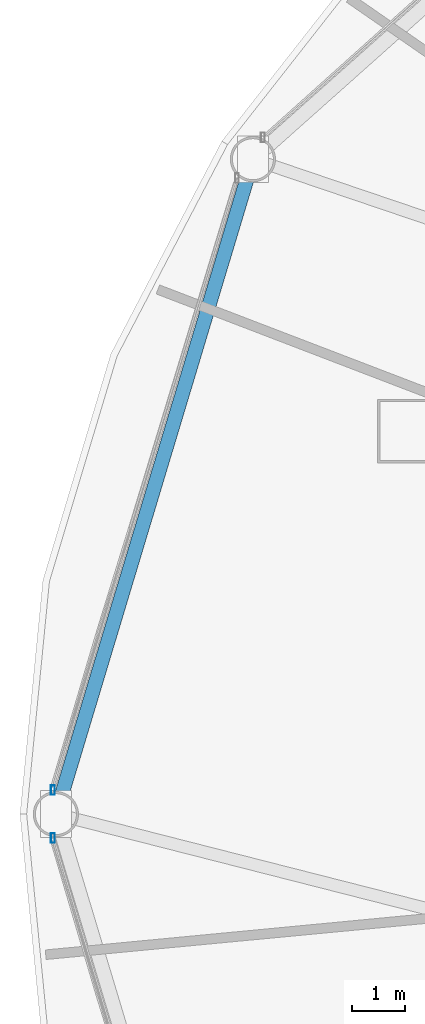
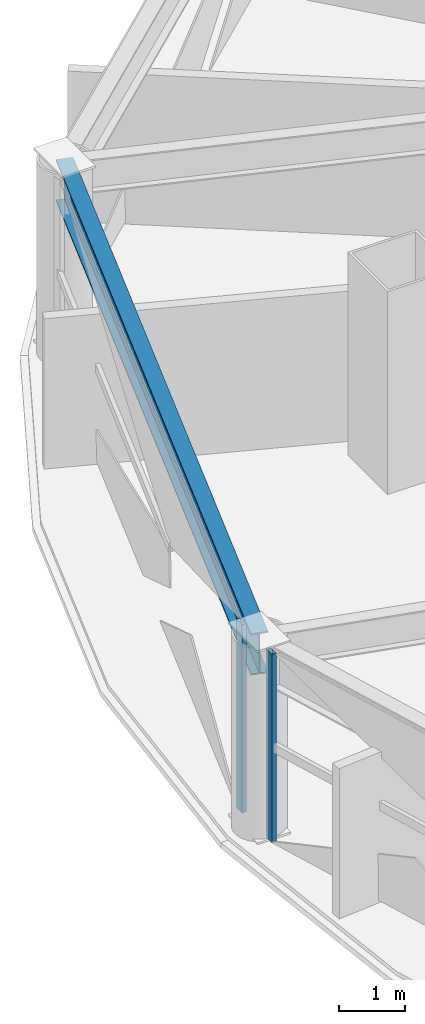
# One storey, part 6 of 33: 2 members, 1 beam, 2 elements without a shape of their own.
"""IFC4 building model written with IfcOpenShell, lengths in metres."""

from ifc_helpers import new_model, si_unit, direction, frame, origin, origin_2d, place, context, subcontext, project, spatial, hollow_rectangle, i_section, extrude, material, layer, layer_set, material_profile, profile_set, type_object, element, aggregate, save


model = new_model("IFC4")

# Units and contexts
model_context = context("Model", 3, precision=1e-05, world=origin(), true_north=direction((0.0, 1.0)))
body_context = subcontext(model_context, "Body", "Model", "MODEL_VIEW")
ifc_project = project(units=[si_unit("LENGTHUNIT", "METRE"), si_unit("AREAUNIT", "SQUARE_METRE"), si_unit("VOLUMEUNIT", "CUBIC_METRE"), si_unit("PLANEANGLEUNIT", "RADIAN"), si_unit("MASSUNIT", "GRAM", prefix="KILO")], contexts=[model_context])

# Site, building, storey
site_placement = place(None, origin())
site = spatial("IfcSite", under=ifc_project, at=site_placement, CompositionType="ELEMENT")
building_placement = place(site_placement, origin())
building = spatial("IfcBuilding", under=site, at=building_placement, Name="Vantalir Tower", CompositionType="ELEMENT")
storey_placement = place(building_placement, frame((0.0, 0.0, 68.25)))
storey = spatial("IfcBuildingStorey", under=building, at=storey_placement, Name="L16", CompositionType="ELEMENT", Elevation=68.25)

# Beam
ifc_material_1 = material(Name="Steel S460", Category="steel")
ifc_material_profile_1 = material_profile(ifc_material_1, i_section(OverallWidth=0.26806640625, OverallDepth=0.77001953125, WebThickness=0.015625, FlangeThickness=0.025390625, at=origin_2d()), Name="Steel S460")
ifc_profile_set_1 = profile_set([ifc_material_profile_1], Name="Steel S460")
beam_type = type_object("IfcBeamType", Name="BM-RG-762x267", PredefinedType="USERDEFINED", material=ifc_profile_set_1)
beam_placement = place(storey_placement, frame((7.553955078125, 37.31396484375, 3.18505859375), z_axis=(-0.288037579995, -0.957619106175, 0.0), x_axis=(0.957619106175, -0.288037579995, 0.0)))
element("IfcBeam", 1, at=beam_placement, inside=storey, type_object=beam_type, Name="L16 Circumferential Ring Girder 06", ObjectType="GIRDER", PredefinedType="USERDEFINED", context=body_context, shape_type="SweptSolid", body=[
    extrude(i_section(OverallWidth=0.26806640625, OverallDepth=0.77001953125, WebThickness=0.015625, FlangeThickness=0.025390625, at=origin_2d()), origin(), (0.0, 0.0, 1.0), 12.85888671875),
])

# Curtain wall, member
ifc_material_2 = material(Name="Champagne-silver PVDF aluminium and double-silver Low-E glass", Category="aluminium")
ifc_layer = layer(ifc_material_2, 0.18994140625)
ifc_layer_set = layer_set([ifc_layer], Name="Champagne-silver PVDF aluminium and double-silver Low-E glass")
curtain_wall_type = type_object("IfcCurtainWallType", Name="CW-DIAMOND-Z1", PredefinedType="USERDEFINED", material=ifc_layer_set)
curtain_wall_1_placement = place(storey_placement, origin())
curtain_wall_1 = element("IfcCurtainWall", 2, at=curtain_wall_1_placement, inside=storey, type_object=curtain_wall_type, Name="L16 Quilted Pyramid-Diamond Curtain Wall S06", ObjectType="UNITISED CURTAIN WALL", PredefinedType="USERDEFINED")
ifc_material_3 = material(Name="Champagne-silver PVDF aluminium 6063-T6", Category="aluminium")
ifc_material_profile_2 = material_profile(ifc_material_3, hollow_rectangle(XDim=0.074951171875, YDim=0.179931640625, WallThickness=0.00390625, at=origin_2d()), Name="Champagne-silver PVDF aluminium 6063-T6")
ifc_profile_set_2 = profile_set([ifc_material_profile_2], Name="Champagne-silver PVDF aluminium 6063-T6")
member_type = type_object("IfcMemberType", Name="CWM-180x75", PredefinedType="MULLION", material=ifc_profile_set_2)
member_1_placement = place(storey_placement, frame((3.794921875, 25.449951171875, 0.044921875), z_axis=(0.0, 0.0, 1.0), x_axis=(1.0, 0.0, 0.0)))
member_1 = element("IfcMember", 3, at=member_1_placement, type_object=member_type, Name="CW-L16-S06 Mullion 2", PredefinedType="MULLION", context=body_context, shape_type="SweptSolid", body=[
    extrude(hollow_rectangle(XDim=0.074951171875, YDim=0.179931640625, WallThickness=0.00390625, at=origin_2d()), origin(), (0.0, 0.0, 1.0), 3.47998046875),
])
aggregate(curtain_wall_1, [member_1])

curtain_wall_2_placement = place(storey_placement, origin())
curtain_wall_2 = element("IfcCurtainWall", 4, at=curtain_wall_2_placement, inside=storey, type_object=curtain_wall_type, Name="L16 Quilted Pyramid-Diamond Curtain Wall S07", ObjectType="UNITISED CURTAIN WALL", PredefinedType="USERDEFINED")
member_2_placement = place(storey_placement, frame((3.794921875, 24.550048828125, 0.044921875), z_axis=(0.0, 0.0, 1.0), x_axis=(1.0, 0.0, 0.0)))
member_2 = element("IfcMember", 5, at=member_2_placement, type_object=member_type, Name="CW-L16-S07 Mullion 1", PredefinedType="MULLION", context=body_context, shape_type="SweptSolid", body=[
    extrude(hollow_rectangle(XDim=0.074951171875, YDim=0.179931640625, WallThickness=0.00390625, at=origin_2d()), origin(), (0.0, 0.0, 1.0), 3.47998046875),
])
aggregate(curtain_wall_2, [member_2])

save(model, "model.ifc")
